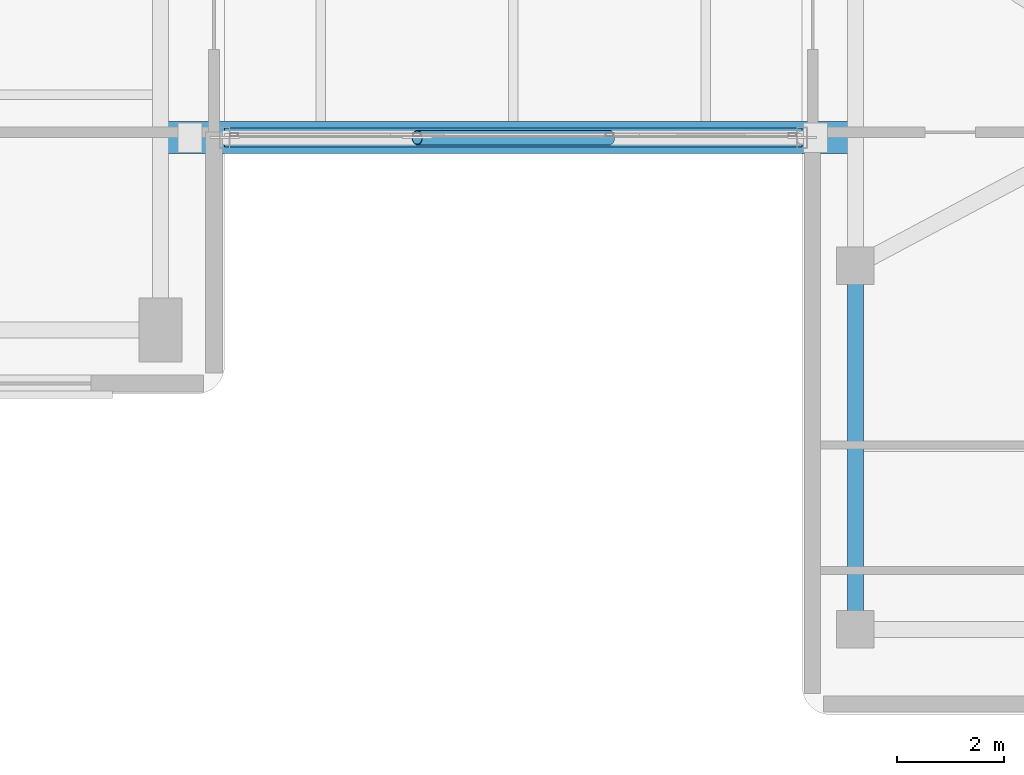
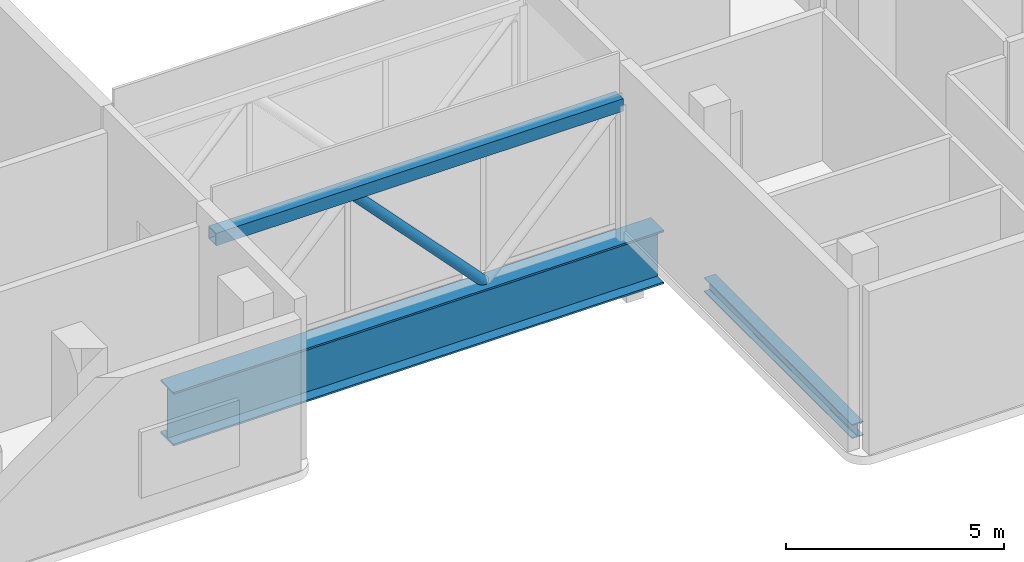
# One storey, part 5 of 17: 2 beams, 2 members.
"""IFC4 building model written with IfcOpenShell, lengths in metres."""

from ifc_helpers import new_model, si_unit, direction, frame, origin, origin_2d, place, context, subcontext, project, spatial, hollow_rectangle, hollow_circle, i_section, extrude, material, material_profile, profile_set, type_object, element, save


model = new_model("IFC4")

# Units and contexts
model_context = context("Model", 3, precision=1e-05, world=origin(), true_north=direction((0.0, 1.0)))
body_context = subcontext(model_context, "Body", "Model", "MODEL_VIEW")
ifc_project = project(units=[si_unit("LENGTHUNIT", "METRE"), si_unit("AREAUNIT", "SQUARE_METRE"), si_unit("VOLUMEUNIT", "CUBIC_METRE"), si_unit("PLANEANGLEUNIT", "RADIAN"), si_unit("MASSUNIT", "GRAM", prefix="KILO")], contexts=[model_context])

# Site, building, storey
site_placement = place(None, origin())
site = spatial("IfcSite", under=ifc_project, at=site_placement, CompositionType="ELEMENT")
building_placement = place(site_placement, origin())
building = spatial("IfcBuilding", under=site, at=building_placement, Name="Kuzgunbayir Cultural Tower", CompositionType="ELEMENT")
storey_placement = place(building_placement, frame((0.0, 0.0, 102.60009765625)))
storey = spatial("IfcBuildingStorey", under=building, at=storey_placement, Name="L29", CompositionType="ELEMENT", Elevation=102.60009765625)

# Beams
ifc_material_1 = material(Name="Steel S355J2", Category="steel")
ifc_material_profile_1 = material_profile(ifc_material_1, i_section(OverallWidth=0.300048828125, OverallDepth=0.39990234375, WebThickness=0.013427734375, FlangeThickness=0.02392578125, FilletRadius=0.027099609375, at=origin_2d()), Name="HEB 400")
ifc_profile_set_1 = profile_set([ifc_material_profile_1], Name="Steel S355J2")
beam_type_1 = type_object("IfcBeamType", Name="BM-EXT-HEB400", PredefinedType="BEAM", material=ifc_profile_set_1)
beam_1_placement = place(storey_placement, frame((58.60009765625, 22.0, -0.440185546875), z_axis=(0.0, 1.0, 0.0), x_axis=(-1.0, 0.0, 0.0)))
element("IfcBeam", 1, at=beam_1_placement, inside=storey, type_object=beam_type_1, Name="L29 Companion West Girder", PredefinedType="BEAM", context=body_context, shape_type="SweptSolid", body=[
    extrude(i_section(OverallWidth=0.300048828125, OverallDepth=0.39990234375, WebThickness=0.013427734375, FlangeThickness=0.02392578125, FilletRadius=0.027099609375, at=origin_2d()), origin(), (0.0, 0.0, 1.0), 6.800048828125),
])
ifc_material_2 = material(Name="Steel S460M", Category="steel")
ifc_material_profile_2 = material_profile(ifc_material_2, i_section(OverallWidth=0.60009765625, OverallDepth=1.5, WebThickness=0.030029296875, FlangeThickness=0.050048828125, at=origin_2d()), Name="PG 1500x600x30x50")
ifc_profile_set_2 = profile_set([ifc_material_profile_2], Name="Steel S460M")
beam_type_2 = type_object("IfcBeamType", Name="BM-SB-PG1500", PredefinedType="BEAM", material=ifc_profile_set_2)
beam_2_placement = place(storey_placement, frame((45.60009765625, 31.199951171875, -0.989990234375), z_axis=(1.0, 0.0, 0.0), x_axis=(0.0, 1.0, 0.0)))
element("IfcBeam", 2, at=beam_2_placement, inside=storey, type_object=beam_type_2, Name="L29 Skybridge Main Box-Plate Girder S", PredefinedType="BEAM", context=body_context, shape_type="SweptSolid", body=[
    extrude(i_section(OverallWidth=0.60009765625, OverallDepth=1.5, WebThickness=0.030029296875, FlangeThickness=0.050048828125, at=origin_2d()), origin(), (0.0, 0.0, 1.0), 13.0),
])

# Members
ifc_material_profile_3 = material_profile(ifc_material_2, hollow_rectangle(XDim=0.35009765625, YDim=0.35009765625, WallThickness=0.02001953125, at=origin_2d()), Name="SHS 350x350x20")
ifc_profile_set_3 = profile_set([ifc_material_profile_3], Name="Steel S460M")
member_type_1 = type_object("IfcMemberType", Name="MEM-CHD-SHS350-EXT", PredefinedType="CHORD", material=ifc_profile_set_3)
member_1_placement = place(storey_placement, frame((46.800048828125, 31.199951171875, 3.5498046875), z_axis=(1.0, 0.0, 0.0), x_axis=(0.0, 1.0, 0.0)))
element("IfcMember", 3, at=member_1_placement, inside=storey, type_object=member_type_1, Name="L29 Skybridge Top Truss Chord S", PredefinedType="CHORD", context=body_context, shape_type="SweptSolid", body=[
    extrude(hollow_rectangle(XDim=0.35009765625, YDim=0.35009765625, WallThickness=0.02001953125, at=origin_2d()), origin(), (0.0, 0.0, 1.0), 10.800048828125),
])
ifc_material_profile_4 = material_profile(ifc_material_2, hollow_circle(Radius=0.136474609375, WallThickness=0.012451171875, at=origin_2d()), Name="CHS 273x12.5")
ifc_profile_set_4 = profile_set([ifc_material_profile_4], Name="Steel S460M")
member_type_2 = type_object("IfcMemberType", Name="MEM-SBG-CHS273", PredefinedType="BRACE", material=ifc_profile_set_4)
member_2_placement = place(storey_placement, frame((50.39990234375, 31.199951171875, 3.5498046875), z_axis=(0.688728594239, 0.0, -0.725019257315), x_axis=(0.0, 1.0, 0.0)))
element("IfcMember", 4, at=member_2_placement, inside=storey, type_object=member_type_2, Name="L29 Skybridge Truss Diagonal S2", PredefinedType="BRACE", context=body_context, shape_type="SweptSolid", body=[
    extrude(hollow_circle(Radius=0.136474609375, WallThickness=0.012451171875, at=origin_2d()), origin(), (0.0, 0.0, 1.0), 5.22705078125),
])

save(model, "model.ifc")
